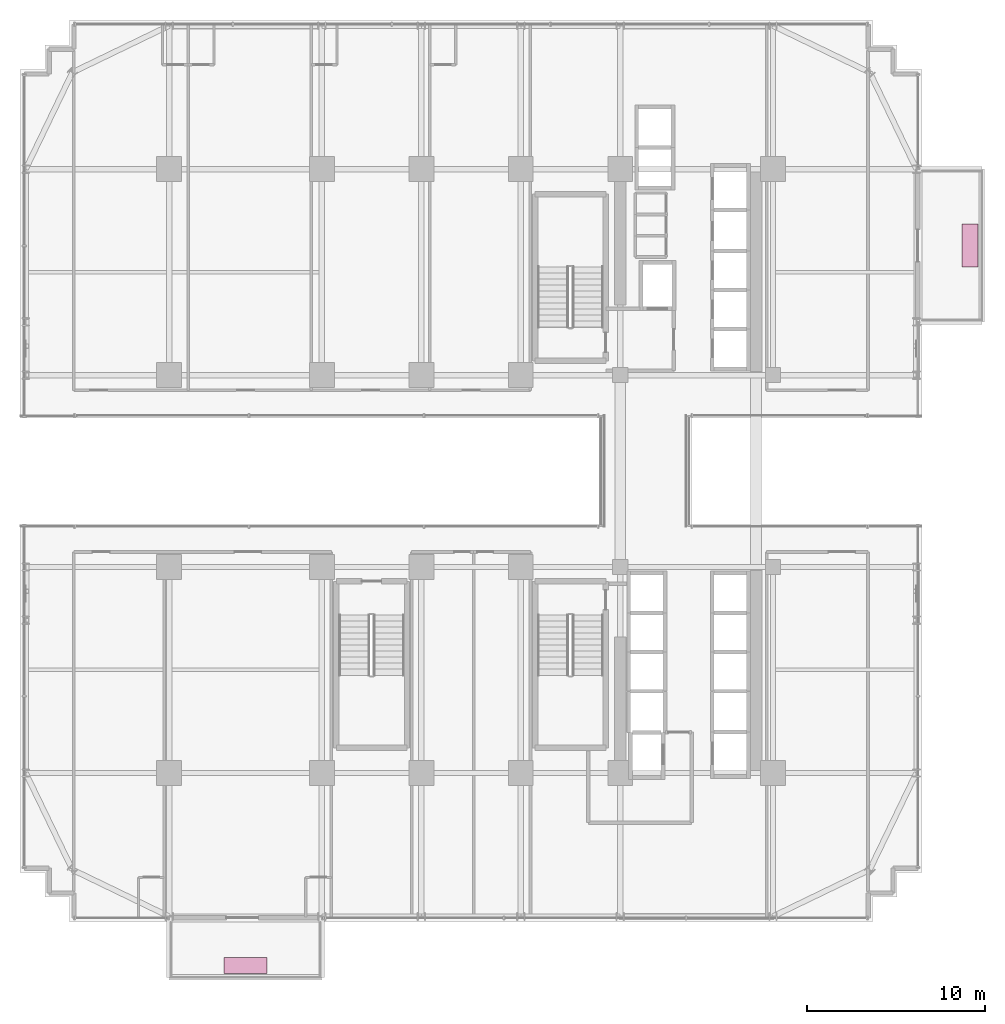
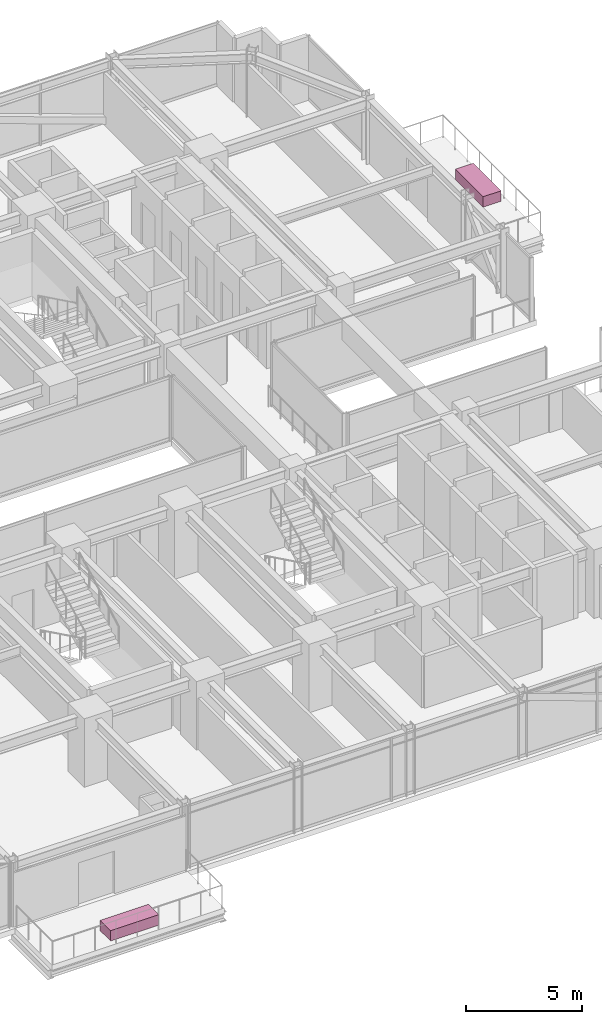
# One storey, part 35 of 35: 2 furnishings.
"""IFC4 building model written with IfcOpenShell, lengths in metres."""

from ifc_helpers import new_model, si_unit, direction, frame, origin, origin_2d, place, context, subcontext, project, spatial, rectangle, extrude, source, transform, mapped, material, type_object, element, save


model = new_model("IFC4")

# Units and contexts
model_context = context("Model", 3, precision=1e-05, world=origin(), true_north=direction((0.0, 1.0)))
body_context = subcontext(model_context, "Body", "Model", "MODEL_VIEW")
ifc_project = project(units=[si_unit("LENGTHUNIT", "METRE"), si_unit("AREAUNIT", "SQUARE_METRE"), si_unit("VOLUMEUNIT", "CUBIC_METRE"), si_unit("PLANEANGLEUNIT", "RADIAN"), si_unit("MASSUNIT", "GRAM", prefix="KILO")], contexts=[model_context])

# Site, building, storey
site_placement = place(None, origin())
site = spatial("IfcSite", under=ifc_project, at=site_placement, CompositionType="ELEMENT")
building_placement = place(site_placement, origin())
building = spatial("IfcBuilding", under=site, at=building_placement, Name="Nahalor Promenade Grand Hotel", CompositionType="ELEMENT")
storey_placement = place(building_placement, frame((0.0, 0.0, 43.35009765625)))
storey = spatial("IfcBuildingStorey", under=building, at=storey_placement, Name="L09", CompositionType="ELEMENT", Elevation=43.35009765625)

# Furnishings
ifc_material = material(Name="Vegetated Volcanic-Lapilli Tree Planter", Category="earth")
furnishing_element_type = type_object("IfcFurnishingElementType", Name="Planter-VerticalForest-Box", material=ifc_material)
shared_shape = source(origin(), body_context, "Body", "SweptSolid", [
    extrude(rectangle(XDim=2.39990234375, YDim=0.89990234375, at=origin_2d()), origin(), (0.0, 0.0, 1.0), 0.550048828125),
])
for number, where, z_axis, x_axis, name in (
    (1, (-12.699951171875, -27.840087890625, 0.0), (0.0, 0.0, 1.0), (1.0, 0.0, 0.0), "L09 Balcony Structural Tree Planter 1"),
    (2, (28.090087890625, 12.699951171875, 0.0), (0.0, 0.0, 1.0), (0.0, 1.0, 0.0), "L09 Balcony Structural Tree Planter 2"),
):
    element("IfcFurnishingElement", number, at=place(storey_placement, frame(where, z_axis=z_axis, x_axis=x_axis)), inside=storey, type_object=furnishing_element_type, Name=name, ObjectType="PLANTER", context=body_context, shape_type="MappedRepresentation", body=[
        mapped(shared_shape, transform((0.0, 0.0, 0.0), scale=1.0)),
    ])

save(model, "model.ifc")
